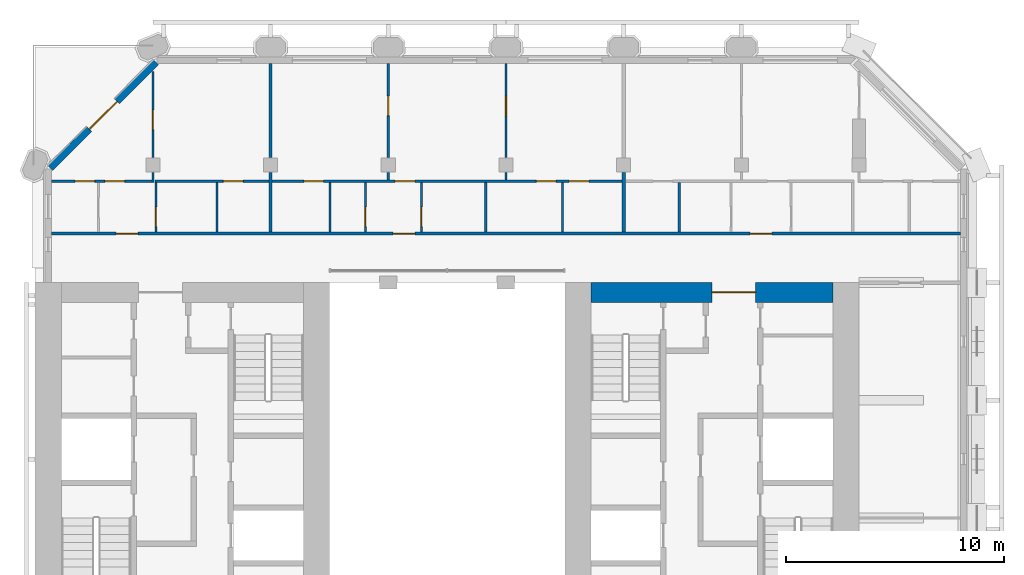
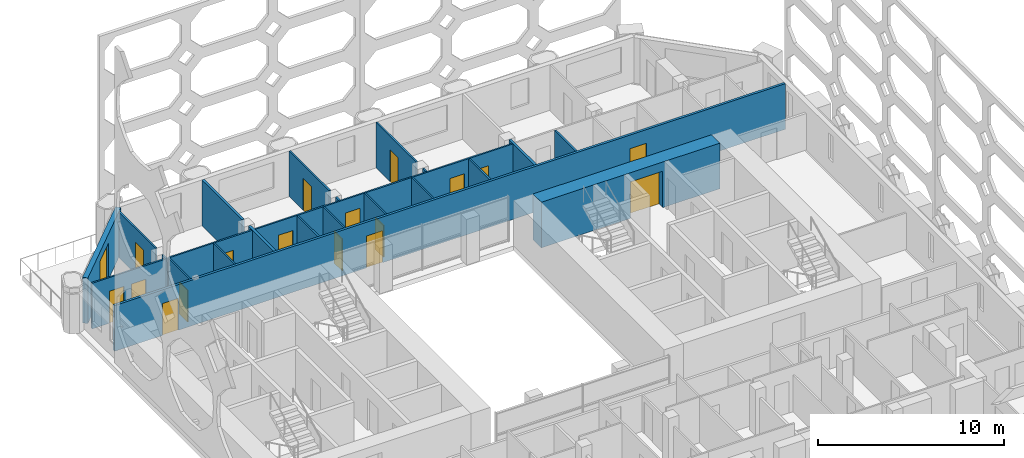
# One storey, part 10 of 15: 23 walls, 18 doors, 18 openings.
"""IFC4 building model written with IfcOpenShell, lengths in metres."""

from ifc_helpers import new_model, si_unit, direction, frame, frame_2d, origin, place, context, subcontext, project, spatial, rectangle, extrude, material, layer, layer_set, type_object, element, fill, save


model = new_model("IFC4")

# Units and contexts
model_context = context("Model", 3, precision=1e-05, world=origin(), true_north=direction((0.0, 1.0)))
body_context = subcontext(model_context, "Body", "Model", "MODEL_VIEW")
ifc_project = project(units=[si_unit("LENGTHUNIT", "METRE"), si_unit("AREAUNIT", "SQUARE_METRE"), si_unit("VOLUMEUNIT", "CUBIC_METRE"), si_unit("PLANEANGLEUNIT", "RADIAN"), si_unit("MASSUNIT", "GRAM", prefix="KILO")], contexts=[model_context])

# Site, building, storey
site_placement = place(None, origin())
site = spatial("IfcSite", under=ifc_project, at=site_placement, CompositionType="ELEMENT")
building_placement = place(site_placement, origin())
building = spatial("IfcBuilding", under=site, at=building_placement, Name="Tabaq Tower and Sports Hall", CompositionType="ELEMENT")
storey_placement = place(building_placement, frame((0.0, 0.0, 265.300048828125)))
storey = spatial("IfcBuildingStorey", under=building, at=storey_placement, Name="L64", CompositionType="ELEMENT", Elevation=265.300048828125)

# Wall, opening, door
ifc_material_1 = material(Name="Concrete C40/50", Category="concrete")
ifc_layer_1 = layer(ifc_material_1, 0.89990234375)
ifc_layer_set_1 = layer_set([ifc_layer_1], Name="Core wall 900 Concrete C40/50")
wall_type_1 = type_object("IfcWallType", Name="Core wall 900 Concrete C40/50", PredefinedType="SOLIDWALL", material=ifc_layer_set_1)
wall_1_placement = place(storey_placement, frame((30.89990234375, 31.949951171875, 0.0), z_axis=(0.0, 0.0, 1.0), x_axis=(1.0, 0.0, 0.0)))
wall_1 = element("IfcWall", 1, at=wall_1_placement, inside=storey, type_object=wall_type_1, Name="Core wall E L64", PredefinedType="SOLIDWALL", context=body_context, shape_type="SweptSolid", body=[
    extrude(rectangle(XDim=11.10009765625, YDim=0.89990234375, at=frame_2d((5.550048828125, 0.0))), origin(), (0.0, 0.0, 1.0), 3.0),
])
opening_1_placement = place(wall_1_placement, frame((5.550048828125, 0.0, 0.0)))
opening_1 = element("IfcOpeningElement", 2, at=opening_1_placement, cuts=wall_1, Name="Opening PD-EL64-02", PredefinedType="OPENING", context=body_context, shape_type="SweptSolid", body=[
    extrude(rectangle(XDim=2.0, YDim=2.39990234375, at=frame_2d((1.0, 1.199951171875))), frame((0.0, 0.449951171875, 0.0), z_axis=(0.0, -1.0, 0.0), x_axis=(1.0, 0.0, 0.0)), (0.0, 0.0, 1.0), 0.89990234375),
])
ifc_material_2 = material(Name="Steel fire door", Category="steel")
door_type_1 = type_object("IfcDoorType", Name="Core entrance door 2000", OperationType="DOUBLE_DOOR_SINGLE_SWING", PredefinedType="DOOR", material=ifc_material_2)
door_1_placement = place(opening_1_placement, origin())
door_1 = element("IfcDoor", 3, at=door_1_placement, inside=storey, type_object=door_type_1, Name="Core entrance north E L64", OperationType="DOUBLE_DOOR_SINGLE_SWING", OverallHeight=2.39990234375, OverallWidth=2.0, PredefinedType="DOOR", context=body_context, shape_type="SweptSolid", body=[
    extrude(rectangle(XDim=2.0, YDim=2.39990234375, at=frame_2d((1.0, 1.199951171875))), frame((0.0, 0.02490234375, 0.0), z_axis=(0.0, -1.0, 0.0), x_axis=(1.0, 0.0, 0.0)), (0.0, 0.0, 1.0), 0.050048828125),
])
fill(opening_1, door_1)

# Wall
ifc_material_3 = material(Name="Gypsum board on steel studs", Category="steel")
ifc_layer_2 = layer(ifc_material_3, 0.10009765625)
ifc_layer_set_2 = layer_set([ifc_layer_2], Name="Partition 100 Gypsum board")
wall_type_2 = type_object("IfcWallType", Name="Partition 100 Gypsum board", PredefinedType="PARTITIONING", material=ifc_layer_set_2)
wall_2_placement = place(storey_placement, frame((10.800048828125, 37.0, 0.0), z_axis=(0.0, 0.0, 1.0), x_axis=(0.0, 1.0, 0.0)))
element("IfcWall", 4, at=wall_2_placement, inside=storey, type_object=wall_type_2, Name="Partition wall L64", PredefinedType="PARTITIONING", context=body_context, shape_type="SweptSolid", body=[
    extrude(rectangle(XDim=0.455078125, YDim=0.10009765625, at=frame_2d((0.2275390625, 0.0))), origin(), (0.0, 0.0, 1.0), 3.0),
])

# Wall, opening, door
wall_3_placement = place(storey_placement, frame((10.800048828125, 38.14501953125, 0.0), z_axis=(0.0, 0.0, 1.0), x_axis=(0.0, 1.0, 0.0)))
wall_3 = element("IfcWall", 5, at=wall_3_placement, inside=storey, type_object=wall_type_2, Name="Partition wall L64", PredefinedType="PARTITIONING", context=body_context, shape_type="SweptSolid", body=[
    extrude(rectangle(XDim=3.94287109375, YDim=0.10009765625, at=frame_2d((1.971435546875, 0.0))), origin(), (0.0, 0.0, 1.0), 3.0),
])
opening_2_placement = place(wall_3_placement, frame((1.273681640625, 0.0, 0.0)))
opening_2 = element("IfcOpeningElement", 6, at=opening_2_placement, cuts=wall_3, Name="Opening L64-048", PredefinedType="OPENING", context=body_context, shape_type="SweptSolid", body=[
    extrude(rectangle(XDim=0.89990234375, YDim=2.10009765625, at=frame_2d((0.449951171875, 1.050048828125))), frame((0.0, 0.050048828125, 0.0), z_axis=(0.0, -1.0, 0.0), x_axis=(1.0, 0.0, 0.0)), (0.0, 0.0, 1.0), 0.10009765625),
])
ifc_material_4 = material(Name="Timber leaf in steel frame", Category="steel")
door_type_2 = type_object("IfcDoorType", Name="Internal door 900 left hand", OperationType="SINGLE_SWING_LEFT", PredefinedType="DOOR", material=ifc_material_4)
door_2_placement = place(opening_2_placement, origin())
door_2 = element("IfcDoor", 7, at=door_2_placement, inside=storey, type_object=door_type_2, Name="Internal door L64-048", OperationType="SINGLE_SWING_LEFT", OverallHeight=2.10009765625, OverallWidth=0.89990234375, PredefinedType="DOOR", context=body_context, shape_type="SweptSolid", body=[
    extrude(rectangle(XDim=0.89990234375, YDim=2.10009765625, at=frame_2d((0.449951171875, 1.050048828125))), frame((0.0, 0.02490234375, 0.0), z_axis=(0.0, -1.0, 0.0), x_axis=(1.0, 0.0, 0.0)), (0.0, 0.0, 1.0), 0.050048828125),
])
fill(opening_2, door_2)

# Wall, openings, doors
wall_4_placement = place(storey_placement, frame((6.15087890625, 37.050048828125, 0.0), z_axis=(0.0, 0.0, 1.0), x_axis=(1.0, 0.0, 0.0)))
wall_4 = element("IfcWall", 8, at=wall_4_placement, inside=storey, type_object=wall_type_2, Name="Partition wall L64", PredefinedType="PARTITIONING", context=body_context, shape_type="SweptSolid", body=[
    extrude(rectangle(XDim=4.59912109375, YDim=0.10009765625, at=frame_2d((2.299560546875, 0.0))), origin(), (0.0, 0.0, 1.0), 3.0),
])
opening_3_placement = place(wall_4_placement, frame((1.0791015625, 0.0, 0.0)))
opening_3 = element("IfcOpeningElement", 9, at=opening_3_placement, cuts=wall_4, Name="Opening L64-031", PredefinedType="OPENING", context=body_context, shape_type="SweptSolid", body=[
    extrude(rectangle(XDim=0.89990234375, YDim=2.10009765625, at=frame_2d((0.449951171875, 1.050048828125))), frame((0.0, 0.050048828125, 0.0), z_axis=(0.0, -1.0, 0.0), x_axis=(1.0, 0.0, 0.0)), (0.0, 0.0, 1.0), 0.10009765625),
])
opening_4_placement = place(wall_4_placement, frame((2.448974609375, 0.0, 0.0)))
opening_4 = element("IfcOpeningElement", 10, at=opening_4_placement, cuts=wall_4, Name="Opening L64-058", PredefinedType="OPENING", context=body_context, shape_type="SweptSolid", body=[
    extrude(rectangle(XDim=0.89990234375, YDim=2.10009765625, at=frame_2d((0.449951171875, 1.050048828125))), frame((0.0, 0.050048828125, 0.0), z_axis=(0.0, -1.0, 0.0), x_axis=(1.0, 0.0, 0.0)), (0.0, 0.0, 1.0), 0.10009765625),
])
door_3_placement = place(opening_4_placement, origin())
door_3 = element("IfcDoor", 11, at=door_3_placement, inside=storey, type_object=door_type_2, Name="Internal door L64-058", OperationType="SINGLE_SWING_LEFT", OverallHeight=2.10009765625, OverallWidth=0.89990234375, PredefinedType="DOOR", context=body_context, shape_type="SweptSolid", body=[
    extrude(rectangle(XDim=0.89990234375, YDim=2.10009765625, at=frame_2d((0.449951171875, 1.050048828125))), frame((0.0, 0.02490234375, 0.0), z_axis=(0.0, -1.0, 0.0), x_axis=(1.0, 0.0, 0.0)), (0.0, 0.0, 1.0), 0.050048828125),
])
fill(opening_4, door_3)
ifc_material_5 = material(Name="Timber leaf in steel frame", Category="steel")
door_type_3 = type_object("IfcDoorType", Name="Internal door 900 right hand", OperationType="SINGLE_SWING_RIGHT", PredefinedType="DOOR", material=ifc_material_5)
door_4_placement = place(opening_3_placement, origin())
door_4 = element("IfcDoor", 12, at=door_4_placement, inside=storey, type_object=door_type_3, Name="Internal door L64-031", OperationType="SINGLE_SWING_RIGHT", OverallHeight=2.10009765625, OverallWidth=0.89990234375, PredefinedType="DOOR", context=body_context, shape_type="SweptSolid", body=[
    extrude(rectangle(XDim=0.89990234375, YDim=2.10009765625, at=frame_2d((0.449951171875, 1.050048828125))), frame((0.0, 0.02490234375, 0.0), z_axis=(0.0, -1.0, 0.0), x_axis=(1.0, 0.0, 0.0)), (0.0, 0.0, 1.0), 0.050048828125),
])
fill(opening_3, door_4)

# Wall, opening, door
wall_5_placement = place(storey_placement, frame((10.889892578125, 37.050048828125, 0.0), z_axis=(0.0, 0.0, 1.0), x_axis=(1.0, 0.0, 0.0)))
wall_5 = element("IfcWall", 13, at=wall_5_placement, inside=storey, type_object=wall_type_2, Name="Partition wall L64", PredefinedType="PARTITIONING", context=body_context, shape_type="SweptSolid", body=[
    extrude(rectangle(XDim=5.235107421875, YDim=0.10009765625, at=frame_2d((2.61767578125, 0.0))), origin(), (0.0, 0.0, 1.0), 3.0),
])
opening_5_placement = place(wall_5_placement, frame((3.14990234375, 0.0, 0.0)))
opening_5 = element("IfcOpeningElement", 14, at=opening_5_placement, cuts=wall_5, Name="Opening L64-001", PredefinedType="OPENING", context=body_context, shape_type="SweptSolid", body=[
    extrude(rectangle(XDim=0.89990234375, YDim=2.10009765625, at=frame_2d((0.449951171875, 1.050048828125))), frame((0.0, 0.050048828125, 0.0), z_axis=(0.0, -1.0, 0.0), x_axis=(1.0, 0.0, 0.0)), (0.0, 0.0, 1.0), 0.10009765625),
])
door_5_placement = place(opening_5_placement, origin())
door_5 = element("IfcDoor", 15, at=door_5_placement, inside=storey, type_object=door_type_2, Name="Internal door L64-001", OperationType="SINGLE_SWING_LEFT", OverallHeight=2.10009765625, OverallWidth=0.89990234375, PredefinedType="DOOR", context=body_context, shape_type="SweptSolid", body=[
    extrude(rectangle(XDim=0.89990234375, YDim=2.10009765625, at=frame_2d((0.449951171875, 1.050048828125))), frame((0.0, 0.02490234375, 0.0), z_axis=(0.0, -1.0, 0.0), x_axis=(1.0, 0.0, 0.0)), (0.0, 0.0, 1.0), 0.050048828125),
])
fill(opening_5, door_5)

wall_6_placement = place(storey_placement, frame((10.93994140625, 34.72509765625, 0.0), z_axis=(0.0, 0.0, 1.0), x_axis=(0.0, 1.0, 0.0)))
wall_6 = element("IfcWall", 16, at=wall_6_placement, inside=storey, type_object=wall_type_2, Name="Partition wall L64", PredefinedType="PARTITIONING", context=body_context, shape_type="SweptSolid", body=[
    extrude(rectangle(XDim=2.27490234375, YDim=0.10009765625, at=frame_2d((1.137451171875, 0.0))), origin(), (0.0, 0.0, 1.0), 3.0),
])
opening_6_placement = place(wall_6_placement, frame((0.25, 0.0, 0.0)))
opening_6 = element("IfcOpeningElement", 17, at=opening_6_placement, cuts=wall_6, Name="Opening L64-002", PredefinedType="OPENING", context=body_context, shape_type="SweptSolid", body=[
    extrude(rectangle(XDim=0.89990234375, YDim=2.10009765625, at=frame_2d((0.449951171875, 1.050048828125))), frame((0.0, 0.050048828125, 0.0), z_axis=(0.0, -1.0, 0.0), x_axis=(1.0, 0.0, 0.0)), (0.0, 0.0, 1.0), 0.10009765625),
])
door_6_placement = place(opening_6_placement, origin())
door_6 = element("IfcDoor", 18, at=door_6_placement, inside=storey, type_object=door_type_2, Name="Internal door L64-002", OperationType="SINGLE_SWING_LEFT", OverallHeight=2.10009765625, OverallWidth=0.89990234375, PredefinedType="DOOR", context=body_context, shape_type="SweptSolid", body=[
    extrude(rectangle(XDim=0.89990234375, YDim=2.10009765625, at=frame_2d((0.449951171875, 1.050048828125))), frame((0.0, 0.02490234375, 0.0), z_axis=(0.0, -1.0, 0.0), x_axis=(1.0, 0.0, 0.0)), (0.0, 0.0, 1.0), 0.050048828125),
])
fill(opening_6, door_6)

# Walls
wall_7_placement = place(storey_placement, frame((13.739990234375, 34.72509765625, 0.0), z_axis=(0.0, 0.0, 1.0), x_axis=(0.0, 1.0, 0.0)))
element("IfcWall", 19, at=wall_7_placement, inside=storey, type_object=wall_type_2, Name="Partition wall L64", PredefinedType="PARTITIONING", context=body_context, shape_type="SweptSolid", body=[
    extrude(rectangle(XDim=2.27490234375, YDim=0.10009765625, at=frame_2d((1.137451171875, 0.0))), origin(), (0.0, 0.0, 1.0), 3.0),
])
wall_8_placement = place(storey_placement, frame((21.60009765625, 37.10009765625, 0.0), z_axis=(0.0, 0.0, 1.0), x_axis=(0.0, 1.0, 0.0)))
element("IfcWall", 20, at=wall_8_placement, inside=storey, type_object=wall_type_2, Name="Partition wall L64", PredefinedType="PARTITIONING", context=body_context, shape_type="SweptSolid", body=[
    extrude(rectangle(XDim=0.35498046875, YDim=0.10009765625, at=frame_2d((0.177490234375, 0.0))), origin(), (0.0, 0.0, 1.0), 3.0),
])

# Wall, opening, door
wall_9_placement = place(storey_placement, frame((21.60009765625, 38.14501953125, 0.0), z_axis=(0.0, 0.0, 1.0), x_axis=(0.0, 1.0, 0.0)))
wall_9 = element("IfcWall", 21, at=wall_9_placement, inside=storey, type_object=wall_type_2, Name="Partition wall L64", PredefinedType="PARTITIONING", context=body_context, shape_type="SweptSolid", body=[
    extrude(rectangle(XDim=4.303955078125, YDim=0.10009765625, at=frame_2d((2.15185546875, 0.0))), origin(), (0.0, 0.0, 1.0), 3.0),
])
opening_7_placement = place(wall_9_placement, frame((1.91796875, 0.0, 0.0)))
opening_7 = element("IfcOpeningElement", 22, at=opening_7_placement, cuts=wall_9, Name="Opening L64-033", PredefinedType="OPENING", context=body_context, shape_type="SweptSolid", body=[
    extrude(rectangle(XDim=0.89990234375, YDim=2.10009765625, at=frame_2d((0.449951171875, 1.050048828125))), frame((0.0, 0.050048828125, 0.0), z_axis=(0.0, -1.0, 0.0), x_axis=(1.0, 0.0, 0.0)), (0.0, 0.0, 1.0), 0.10009765625),
])
door_7_placement = place(opening_7_placement, origin())
door_7 = element("IfcDoor", 23, at=door_7_placement, inside=storey, type_object=door_type_2, Name="Internal door L64-033", OperationType="SINGLE_SWING_LEFT", OverallHeight=2.10009765625, OverallWidth=0.89990234375, PredefinedType="DOOR", context=body_context, shape_type="SweptSolid", body=[
    extrude(rectangle(XDim=0.89990234375, YDim=2.10009765625, at=frame_2d((0.449951171875, 1.050048828125))), frame((0.0, 0.02490234375, 0.0), z_axis=(0.0, -1.0, 0.0), x_axis=(1.0, 0.0, 0.0)), (0.0, 0.0, 1.0), 0.050048828125),
])
fill(opening_7, door_7)

# Wall
wall_10_placement = place(storey_placement, frame((27.0, 37.10009765625, 0.0), z_axis=(0.0, 0.0, 1.0), x_axis=(0.0, 1.0, 0.0)))
element("IfcWall", 24, at=wall_10_placement, inside=storey, type_object=wall_type_2, Name="Partition wall L64", PredefinedType="PARTITIONING", context=body_context, shape_type="SweptSolid", body=[
    extrude(rectangle(XDim=0.35498046875, YDim=0.10009765625, at=frame_2d((0.177490234375, 0.0))), origin(), (0.0, 0.0, 1.0), 3.0),
])

# Wall, opening, door
wall_11_placement = place(storey_placement, frame((27.0, 38.14501953125, 0.0), z_axis=(0.0, 0.0, 1.0), x_axis=(0.0, 1.0, 0.0)))
wall_11 = element("IfcWall", 25, at=wall_11_placement, inside=storey, type_object=wall_type_2, Name="Partition wall L64", PredefinedType="PARTITIONING", context=body_context, shape_type="SweptSolid", body=[
    extrude(rectangle(XDim=4.303955078125, YDim=0.10009765625, at=frame_2d((2.15185546875, 0.0))), origin(), (0.0, 0.0, 1.0), 3.0),
])
opening_8_placement = place(wall_11_placement, frame((1.91796875, 0.0, 0.0)))
opening_8 = element("IfcOpeningElement", 26, at=opening_8_placement, cuts=wall_11, Name="Opening L64-049", PredefinedType="OPENING", context=body_context, shape_type="SweptSolid", body=[
    extrude(rectangle(XDim=0.89990234375, YDim=2.10009765625, at=frame_2d((0.449951171875, 1.050048828125))), frame((0.0, 0.050048828125, 0.0), z_axis=(0.0, -1.0, 0.0), x_axis=(1.0, 0.0, 0.0)), (0.0, 0.0, 1.0), 0.10009765625),
])
door_8_placement = place(opening_8_placement, origin())
door_8 = element("IfcDoor", 27, at=door_8_placement, inside=storey, type_object=door_type_3, Name="Internal door L64-049", OperationType="SINGLE_SWING_RIGHT", OverallHeight=2.10009765625, OverallWidth=0.89990234375, PredefinedType="DOOR", context=body_context, shape_type="SweptSolid", body=[
    extrude(rectangle(XDim=0.89990234375, YDim=2.10009765625, at=frame_2d((0.449951171875, 1.050048828125))), frame((0.0, 0.02490234375, 0.0), z_axis=(0.0, -1.0, 0.0), x_axis=(1.0, 0.0, 0.0)), (0.0, 0.0, 1.0), 0.050048828125),
])
fill(opening_8, door_8)

# Wall, openings, doors
wall_12_placement = place(storey_placement, frame((16.27490234375, 37.050048828125, 0.0), z_axis=(0.0, 0.0, 1.0), x_axis=(1.0, 0.0, 0.0)))
wall_12 = element("IfcWall", 28, at=wall_12_placement, inside=storey, type_object=wall_type_2, Name="Partition wall L64", PredefinedType="PARTITIONING", context=body_context, shape_type="SweptSolid", body=[
    extrude(rectangle(XDim=16.050048828125, YDim=0.10009765625, at=frame_2d((8.02490234375, 0.0))), origin(), (0.0, 0.0, 1.0), 3.0),
])
opening_9_placement = place(wall_12_placement, frame((1.452880859375, 0.0, 0.0)))
opening_9 = element("IfcOpeningElement", 29, at=opening_9_placement, cuts=wall_12, Name="Opening L64-003", PredefinedType="OPENING", context=body_context, shape_type="SweptSolid", body=[
    extrude(rectangle(XDim=0.89990234375, YDim=2.10009765625, at=frame_2d((0.449951171875, 1.050048828125))), frame((0.0, 0.050048828125, 0.0), z_axis=(0.0, -1.0, 0.0), x_axis=(1.0, 0.0, 0.0)), (0.0, 0.0, 1.0), 0.10009765625),
])
opening_10_placement = place(wall_12_placement, frame((12.125, 0.0, 0.0)))
opening_10 = element("IfcOpeningElement", 30, at=opening_10_placement, cuts=wall_12, Name="Opening L64-004", PredefinedType="OPENING", context=body_context, shape_type="SweptSolid", body=[
    extrude(rectangle(XDim=0.89990234375, YDim=2.10009765625, at=frame_2d((0.449951171875, 1.050048828125))), frame((0.0, 0.050048828125, 0.0), z_axis=(0.0, -1.0, 0.0), x_axis=(1.0, 0.0, 0.0)), (0.0, 0.0, 1.0), 0.10009765625),
])
opening_11_placement = place(wall_12_placement, frame((13.625, 0.0, 0.0)))
opening_11 = element("IfcOpeningElement", 31, at=opening_11_placement, cuts=wall_12, Name="Opening L64-005", PredefinedType="OPENING", context=body_context, shape_type="SweptSolid", body=[
    extrude(rectangle(XDim=0.89990234375, YDim=2.10009765625, at=frame_2d((0.449951171875, 1.050048828125))), frame((0.0, 0.050048828125, 0.0), z_axis=(0.0, -1.0, 0.0), x_axis=(1.0, 0.0, 0.0)), (0.0, 0.0, 1.0), 0.10009765625),
])
opening_12_placement = place(wall_12_placement, frame((5.64404296875, 0.0, 0.0)))
opening_12 = element("IfcOpeningElement", 32, at=opening_12_placement, cuts=wall_12, Name="Opening L64-050", PredefinedType="OPENING", context=body_context, shape_type="SweptSolid", body=[
    extrude(rectangle(XDim=0.89990234375, YDim=2.10009765625, at=frame_2d((0.449951171875, 1.050048828125))), frame((0.0, 0.050048828125, 0.0), z_axis=(0.0, -1.0, 0.0), x_axis=(1.0, 0.0, 0.0)), (0.0, 0.0, 1.0), 0.10009765625),
])
door_9_placement = place(opening_10_placement, origin())
door_9 = element("IfcDoor", 33, at=door_9_placement, inside=storey, type_object=door_type_2, Name="Internal door L64-004", OperationType="SINGLE_SWING_LEFT", OverallHeight=2.10009765625, OverallWidth=0.89990234375, PredefinedType="DOOR", context=body_context, shape_type="SweptSolid", body=[
    extrude(rectangle(XDim=0.89990234375, YDim=2.10009765625, at=frame_2d((0.449951171875, 1.050048828125))), frame((0.0, 0.02490234375, 0.0), z_axis=(0.0, -1.0, 0.0), x_axis=(1.0, 0.0, 0.0)), (0.0, 0.0, 1.0), 0.050048828125),
])
fill(opening_10, door_9)
door_10_placement = place(opening_9_placement, origin())
door_10 = element("IfcDoor", 34, at=door_10_placement, inside=storey, type_object=door_type_3, Name="Internal door L64-003", OperationType="SINGLE_SWING_RIGHT", OverallHeight=2.10009765625, OverallWidth=0.89990234375, PredefinedType="DOOR", context=body_context, shape_type="SweptSolid", body=[
    extrude(rectangle(XDim=0.89990234375, YDim=2.10009765625, at=frame_2d((0.449951171875, 1.050048828125))), frame((0.0, 0.02490234375, 0.0), z_axis=(0.0, -1.0, 0.0), x_axis=(1.0, 0.0, 0.0)), (0.0, 0.0, 1.0), 0.050048828125),
])
fill(opening_9, door_10)
door_11_placement = place(opening_11_placement, origin())
door_11 = element("IfcDoor", 35, at=door_11_placement, inside=storey, type_object=door_type_3, Name="Internal door L64-005", OperationType="SINGLE_SWING_RIGHT", OverallHeight=2.10009765625, OverallWidth=0.89990234375, PredefinedType="DOOR", context=body_context, shape_type="SweptSolid", body=[
    extrude(rectangle(XDim=0.89990234375, YDim=2.10009765625, at=frame_2d((0.449951171875, 1.050048828125))), frame((0.0, 0.02490234375, 0.0), z_axis=(0.0, -1.0, 0.0), x_axis=(1.0, 0.0, 0.0)), (0.0, 0.0, 1.0), 0.050048828125),
])
fill(opening_11, door_11)
door_12_placement = place(opening_12_placement, origin())
door_12 = element("IfcDoor", 36, at=door_12_placement, inside=storey, type_object=door_type_3, Name="Internal door L64-050", OperationType="SINGLE_SWING_RIGHT", OverallHeight=2.10009765625, OverallWidth=0.89990234375, PredefinedType="DOOR", context=body_context, shape_type="SweptSolid", body=[
    extrude(rectangle(XDim=0.89990234375, YDim=2.10009765625, at=frame_2d((0.449951171875, 1.050048828125))), frame((0.0, 0.02490234375, 0.0), z_axis=(0.0, -1.0, 0.0), x_axis=(1.0, 0.0, 0.0)), (0.0, 0.0, 1.0), 0.050048828125),
])
fill(opening_12, door_12)

# Wall
wall_13_placement = place(storey_placement, frame((18.927978515625, 34.72509765625, 0.0), z_axis=(0.0, 0.0, 1.0), x_axis=(0.0, 1.0, 0.0)))
element("IfcWall", 37, at=wall_13_placement, inside=storey, type_object=wall_type_2, Name="Partition wall L64", PredefinedType="PARTITIONING", context=body_context, shape_type="SweptSolid", body=[
    extrude(rectangle(XDim=2.27490234375, YDim=0.10009765625, at=frame_2d((1.137451171875, 0.0))), origin(), (0.0, 0.0, 1.0), 3.0),
])

# Wall, opening, door
wall_14_placement = place(storey_placement, frame((20.551025390625, 34.72509765625, 0.0), z_axis=(0.0, 0.0, 1.0), x_axis=(0.0, 1.0, 0.0)))
wall_14 = element("IfcWall", 38, at=wall_14_placement, inside=storey, type_object=wall_type_2, Name="Partition wall L64", PredefinedType="PARTITIONING", context=body_context, shape_type="SweptSolid", body=[
    extrude(rectangle(XDim=2.27490234375, YDim=0.10009765625, at=frame_2d((1.137451171875, 0.0))), origin(), (0.0, 0.0, 1.0), 3.0),
])
opening_13_placement = place(wall_14_placement, frame((0.25, 0.0, 0.0)))
opening_13 = element("IfcOpeningElement", 39, at=opening_13_placement, cuts=wall_14, Name="Opening L64-006", PredefinedType="OPENING", context=body_context, shape_type="SweptSolid", body=[
    extrude(rectangle(XDim=0.89990234375, YDim=2.10009765625, at=frame_2d((0.449951171875, 1.050048828125))), frame((0.0, 0.050048828125, 0.0), z_axis=(0.0, -1.0, 0.0), x_axis=(1.0, 0.0, 0.0)), (0.0, 0.0, 1.0), 0.10009765625),
])
door_13_placement = place(opening_13_placement, origin())
door_13 = element("IfcDoor", 40, at=door_13_placement, inside=storey, type_object=door_type_3, Name="Internal door L64-006", OperationType="SINGLE_SWING_RIGHT", OverallHeight=2.10009765625, OverallWidth=0.89990234375, PredefinedType="DOOR", context=body_context, shape_type="SweptSolid", body=[
    extrude(rectangle(XDim=0.89990234375, YDim=2.10009765625, at=frame_2d((0.449951171875, 1.050048828125))), frame((0.0, 0.02490234375, 0.0), z_axis=(0.0, -1.0, 0.0), x_axis=(1.0, 0.0, 0.0)), (0.0, 0.0, 1.0), 0.050048828125),
])
fill(opening_13, door_13)

wall_15_placement = place(storey_placement, frame((23.118896484375, 34.72509765625, 0.0), z_axis=(0.0, 0.0, 1.0), x_axis=(0.0, 1.0, 0.0)))
wall_15 = element("IfcWall", 41, at=wall_15_placement, inside=storey, type_object=wall_type_2, Name="Partition wall L64", PredefinedType="PARTITIONING", context=body_context, shape_type="SweptSolid", body=[
    extrude(rectangle(XDim=2.27490234375, YDim=0.10009765625, at=frame_2d((1.137451171875, 0.0))), origin(), (0.0, 0.0, 1.0), 3.0),
])
opening_14_placement = place(wall_15_placement, frame((0.25, 0.0, 0.0)))
opening_14 = element("IfcOpeningElement", 42, at=opening_14_placement, cuts=wall_15, Name="Opening L64-007", PredefinedType="OPENING", context=body_context, shape_type="SweptSolid", body=[
    extrude(rectangle(XDim=0.89990234375, YDim=2.10009765625, at=frame_2d((0.449951171875, 1.050048828125))), frame((0.0, 0.050048828125, 0.0), z_axis=(0.0, -1.0, 0.0), x_axis=(1.0, 0.0, 0.0)), (0.0, 0.0, 1.0), 0.10009765625),
])
door_14_placement = place(opening_14_placement, origin())
door_14 = element("IfcDoor", 43, at=door_14_placement, inside=storey, type_object=door_type_2, Name="Internal door L64-007", OperationType="SINGLE_SWING_LEFT", OverallHeight=2.10009765625, OverallWidth=0.89990234375, PredefinedType="DOOR", context=body_context, shape_type="SweptSolid", body=[
    extrude(rectangle(XDim=0.89990234375, YDim=2.10009765625, at=frame_2d((0.449951171875, 1.050048828125))), frame((0.0, 0.02490234375, 0.0), z_axis=(0.0, -1.0, 0.0), x_axis=(1.0, 0.0, 0.0)), (0.0, 0.0, 1.0), 0.050048828125),
])
fill(opening_14, door_14)

# Walls
for number, where, z_axis, x_axis, name in (
    (44, (26.069091796875, 34.72509765625, 0.0), (0.0, 0.0, 1.0), (0.0, 1.0, 0.0), "Partition wall L64"),
    (45, (29.60009765625, 34.72509765625, 0.0), (0.0, 0.0, 1.0), (0.0, 1.0, 0.0), "Partition wall L64"),
    (46, (34.949951171875, 34.72509765625, 0.0), (0.0, 0.0, 1.0), (0.0, 1.0, 0.0), "Partition wall L64"),
):
    element("IfcWall", number, at=place(storey_placement, frame(where, z_axis=z_axis, x_axis=x_axis)), inside=storey, type_object=wall_type_2, Name=name, PredefinedType="PARTITIONING", context=body_context, shape_type="SweptSolid", body=[
        extrude(rectangle(XDim=2.27490234375, YDim=0.10009765625, at=frame_2d((1.137451171875, 0.0))), origin(), (0.0, 0.0, 1.0), 3.0),
    ])
ifc_material_6 = material(Name="Blockwork", Category="masonry")
ifc_layer_3 = layer(ifc_material_6, 0.14990234375)
ifc_layer_set_3 = layer_set([ifc_layer_3], Name="Separating wall 150 Blockwork")
wall_type_3 = type_object("IfcWallType", Name="Separating wall 150 Blockwork", PredefinedType="PARTITIONING", material=ifc_layer_set_3)
wall_16_placement = place(storey_placement, frame((16.199951171875, 38.14501953125, 0.0), z_axis=(0.0, 0.0, 1.0), x_axis=(0.0, 1.0, 0.0)))
element("IfcWall", 47, at=wall_16_placement, inside=storey, type_object=wall_type_3, Name="Separating wall L64", PredefinedType="PARTITIONING", context=body_context, shape_type="SweptSolid", body=[
    extrude(rectangle(XDim=4.303955078125, YDim=0.14990234375, at=frame_2d((2.15185546875, 0.0))), origin(), (0.0, 0.0, 1.0), 3.0),
])
for number, where, z_axis, x_axis, name in (
    (48, (16.199951171875, 34.72509765625, 0.0), (0.0, 0.0, 1.0), (0.0, 1.0, 0.0), "Separating wall L64"),
    (49, (32.39990234375, 34.72509765625, 0.0), (0.0, 0.0, 1.0), (0.0, 1.0, 0.0), "Separating wall L64"),
):
    element("IfcWall", number, at=place(storey_placement, frame(where, z_axis=z_axis, x_axis=x_axis)), inside=storey, type_object=wall_type_3, Name=name, PredefinedType="PARTITIONING", context=body_context, shape_type="SweptSolid", body=[
        extrude(rectangle(XDim=2.72998046875, YDim=0.14990234375, at=frame_2d((1.364990234375, 0.0))), origin(), (0.0, 0.0, 1.0), 3.0),
    ])

# Wall, openings, doors
wall_17_placement = place(storey_placement, frame((6.15087890625, 34.64990234375, 0.0), z_axis=(0.0, 0.0, 1.0), x_axis=(1.0, 0.0, 0.0)))
wall_17 = element("IfcWall", 50, at=wall_17_placement, inside=storey, type_object=wall_type_3, Name="Separating wall L64", PredefinedType="PARTITIONING", context=body_context, shape_type="SweptSolid", body=[
    extrude(rectangle(XDim=41.6982421875, YDim=0.14990234375, at=frame_2d((20.84912109375, 0.0))), origin(), (0.0, 0.0, 1.0), 3.0),
])
opening_15_placement = place(wall_17_placement, frame((2.968994140625, 0.0, 0.0)))
opening_15 = element("IfcOpeningElement", 51, at=opening_15_placement, cuts=wall_17, Name="Opening L64-059", PredefinedType="OPENING", context=body_context, shape_type="SweptSolid", body=[
    extrude(rectangle(XDim=1.0, YDim=2.10009765625, at=frame_2d((0.5, 1.050048828125))), frame((0.0, 0.074951171875, 0.0), z_axis=(0.0, -1.0, 0.0), x_axis=(1.0, 0.0, 0.0)), (0.0, 0.0, 1.0), 0.14990234375),
])
opening_16_placement = place(wall_17_placement, frame((15.66796875, 0.0, 0.0)))
opening_16 = element("IfcOpeningElement", 52, at=opening_16_placement, cuts=wall_17, Name="Opening L64-060", PredefinedType="OPENING", context=body_context, shape_type="SweptSolid", body=[
    extrude(rectangle(XDim=1.0, YDim=2.10009765625, at=frame_2d((0.5, 1.050048828125))), frame((0.0, 0.074951171875, 0.0), z_axis=(0.0, -1.0, 0.0), x_axis=(1.0, 0.0, 0.0)), (0.0, 0.0, 1.0), 0.14990234375),
])
opening_17_placement = place(wall_17_placement, frame((32.053955078125, 0.0, 0.0)))
opening_17 = element("IfcOpeningElement", 53, at=opening_17_placement, cuts=wall_17, Name="Opening L64-061", PredefinedType="OPENING", context=body_context, shape_type="SweptSolid", body=[
    extrude(rectangle(XDim=1.0, YDim=2.10009765625, at=frame_2d((0.5, 1.050048828125))), frame((0.0, 0.074951171875, 0.0), z_axis=(0.0, -1.0, 0.0), x_axis=(1.0, 0.0, 0.0)), (0.0, 0.0, 1.0), 0.14990234375),
])
ifc_material_7 = material(Name="Steel fire door", Category="steel")
door_type_4 = type_object("IfcDoorType", Name="Entrance door 1000 left hand", OperationType="SINGLE_SWING_LEFT", PredefinedType="DOOR", material=ifc_material_7)
door_15_placement = place(opening_16_placement, origin())
door_15 = element("IfcDoor", 54, at=door_15_placement, inside=storey, type_object=door_type_4, Name="Entrance door L64-060", OperationType="SINGLE_SWING_LEFT", OverallHeight=2.10009765625, OverallWidth=1.0, PredefinedType="DOOR", context=body_context, shape_type="SweptSolid", body=[
    extrude(rectangle(XDim=1.0, YDim=2.10009765625, at=frame_2d((0.5, 1.050048828125))), frame((0.0, 0.02490234375, 0.0), z_axis=(0.0, -1.0, 0.0), x_axis=(1.0, 0.0, 0.0)), (0.0, 0.0, 1.0), 0.050048828125),
])
fill(opening_16, door_15)
ifc_material_8 = material(Name="Steel fire door", Category="steel")
door_type_5 = type_object("IfcDoorType", Name="Entrance door 1000 right hand", OperationType="SINGLE_SWING_RIGHT", PredefinedType="DOOR", material=ifc_material_8)
door_16_placement = place(opening_15_placement, origin())
door_16 = element("IfcDoor", 55, at=door_16_placement, inside=storey, type_object=door_type_5, Name="Entrance door L64-059", OperationType="SINGLE_SWING_RIGHT", OverallHeight=2.10009765625, OverallWidth=1.0, PredefinedType="DOOR", context=body_context, shape_type="SweptSolid", body=[
    extrude(rectangle(XDim=1.0, YDim=2.10009765625, at=frame_2d((0.5, 1.050048828125))), frame((0.0, 0.02490234375, 0.0), z_axis=(0.0, -1.0, 0.0), x_axis=(1.0, 0.0, 0.0)), (0.0, 0.0, 1.0), 0.050048828125),
])
fill(opening_15, door_16)
door_17_placement = place(opening_17_placement, origin())
door_17 = element("IfcDoor", 56, at=door_17_placement, inside=storey, type_object=door_type_5, Name="Entrance door L64-061", OperationType="SINGLE_SWING_RIGHT", OverallHeight=2.10009765625, OverallWidth=1.0, PredefinedType="DOOR", context=body_context, shape_type="SweptSolid", body=[
    extrude(rectangle(XDim=1.0, YDim=2.10009765625, at=frame_2d((0.5, 1.050048828125))), frame((0.0, 0.02490234375, 0.0), z_axis=(0.0, -1.0, 0.0), x_axis=(1.0, 0.0, 0.0)), (0.0, 0.0, 1.0), 0.050048828125),
])
fill(opening_17, door_17)

# Wall, opening, door
ifc_material_9 = material(Name="White precast concrete C60/75", Category="concrete")
ifc_layer_4 = layer(ifc_material_9, 0.300048828125)
ifc_layer_set_4 = layer_set([ifc_layer_4], Name="White precast concrete C60/75 external wall 300")
wall_type_4 = type_object("IfcWallType", Name="White precast concrete C60/75 external wall 300", PredefinedType="SOLIDWALL", material=ifc_layer_set_4)
wall_18_placement = place(storey_placement, frame((10.949462890625, 42.5009765625, 0.0), z_axis=(0.0, 0.0, 1.0), x_axis=(-0.707106781187, -0.707106781187, 0.0)))
wall_18 = element("IfcWall", 57, at=wall_18_placement, inside=storey, type_object=wall_type_4, Name="External Wall L64 NW", PredefinedType="SOLIDWALL", context=body_context, shape_type="SweptSolid", body=[
    extrude(rectangle(XDim=6.85986328125, YDim=0.300048828125, at=frame_2d((3.429931640625, 0.0))), origin(), (0.0, 0.0, 1.0), 3.0),
])
opening_18_placement = place(wall_18_placement, frame((2.52978515625, 0.0, 0.0)))
opening_18 = element("IfcOpeningElement", 58, at=opening_18_placement, cuts=wall_18, Name="Opening TD6401", PredefinedType="OPENING", context=body_context, shape_type="SweptSolid", body=[
    extrude(rectangle(XDim=1.800048828125, YDim=2.39990234375, at=frame_2d((0.89990234375, 1.199951171875))), frame((0.0, 0.16015625, 0.0), z_axis=(0.0, -1.0, 0.0), x_axis=(1.0, 0.0, 0.0)), (0.0, 0.0, 1.0), 0.320068359375),
])
ifc_material_10 = material(Name="Aluminium framed clear glazing", Category="aluminium")
door_type_6 = type_object("IfcDoorType", Name="Terrace door TD1", OperationType="DOUBLE_DOOR_DOUBLE_SWING", PredefinedType="DOOR", material=ifc_material_10)
door_18_placement = place(opening_18_placement, origin())
door_18 = element("IfcDoor", 59, at=door_18_placement, inside=storey, type_object=door_type_6, Name="Terrace door TD6401", OperationType="DOUBLE_DOOR_DOUBLE_SWING", OverallHeight=2.39990234375, OverallWidth=1.800048828125, PredefinedType="DOOR", context=body_context, shape_type="SweptSolid", body=[
    extrude(rectangle(XDim=1.800048828125, YDim=2.39990234375, at=frame_2d((0.89990234375, 1.199951171875))), frame((0.0, 0.02490234375, 0.0), z_axis=(0.0, -1.0, 0.0), x_axis=(1.0, 0.0, 0.0)), (0.0, 0.0, 1.0), 0.050048828125),
])
fill(opening_18, door_18)

save(model, "model.ifc")
